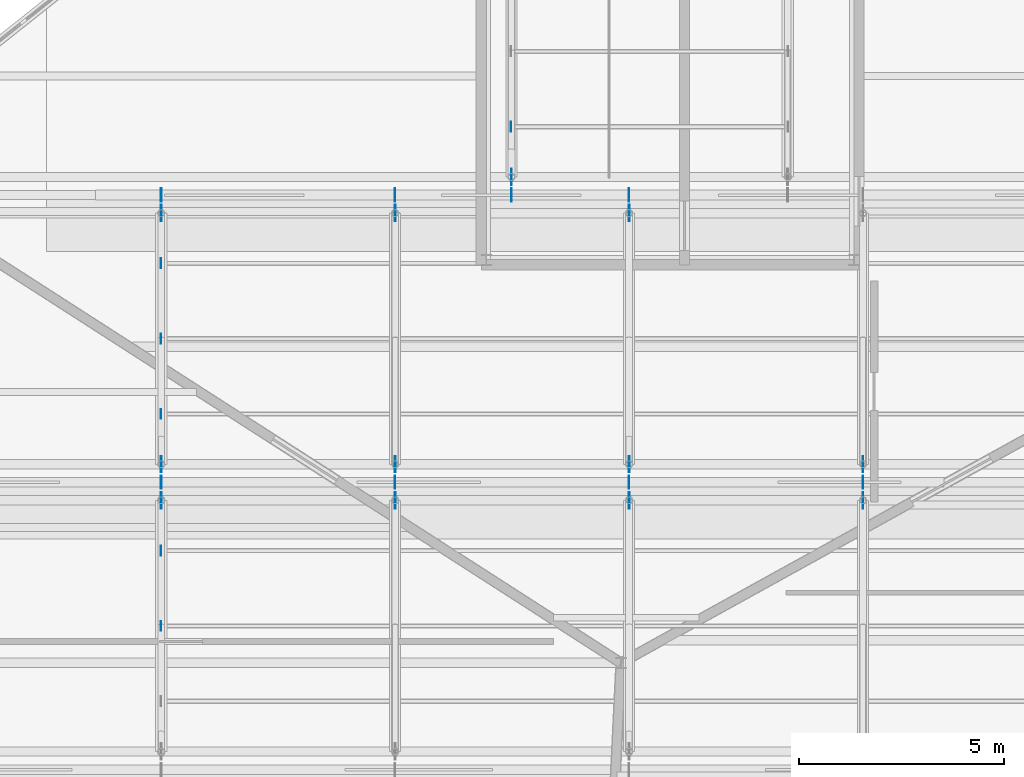
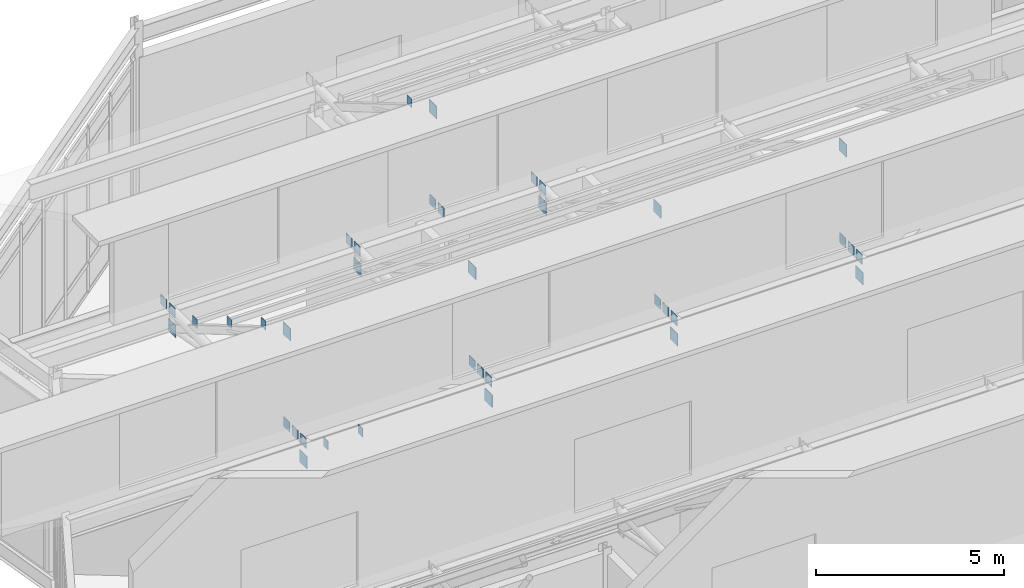
# One storey, part 49 of 55: 38 plates.
"""IFC4 building model written with IfcOpenShell, lengths in metres."""

from ifc_helpers import new_model, si_unit, direction, frame, origin, origin_2d, place, context, subcontext, project, spatial, rectangle, extrude, material, layer, layer_set, type_object, element, save


model = new_model("IFC4")

# Units and contexts
model_context = context("Model", 3, precision=1e-05, world=origin(), true_north=direction((0.0, 1.0)))
body_context = subcontext(model_context, "Body", "Model", "MODEL_VIEW")
ifc_project = project(units=[si_unit("LENGTHUNIT", "METRE"), si_unit("AREAUNIT", "SQUARE_METRE"), si_unit("VOLUMEUNIT", "CUBIC_METRE"), si_unit("PLANEANGLEUNIT", "RADIAN"), si_unit("MASSUNIT", "GRAM", prefix="KILO")], contexts=[model_context])

# Site, building, storey
site_placement = place(None, origin())
site = spatial("IfcSite", under=ifc_project, at=site_placement, CompositionType="ELEMENT")
building_placement = place(site_placement, origin())
building = spatial("IfcBuilding", under=site, at=building_placement, Name="Tameran Prism Museum", CompositionType="ELEMENT")
storey_placement = place(building_placement, frame((0.0, 0.0, 28.800048828125)))
storey = spatial("IfcBuildingStorey", under=building, at=storey_placement, Name="L05", CompositionType="ELEMENT", Elevation=28.800048828125)

# Plates
ifc_material_1 = material(Name="Steel Grade 350 (350 MPa)", Category="steel")
ifc_layer_1 = layer(ifc_material_1, 0.01611328125)
ifc_layer_set_1 = layer_set([ifc_layer_1])
plate_type_1 = type_object("IfcPlateType", Name="PL-CAP-16", PredefinedType="USERDEFINED", material=ifc_layer_set_1)
for number, where, z_axis, x_axis, name in (
    (1, (107.592041015625, 90.0, 8.43115234375), (0.0, 0.0, 1.0), (1.0, 0.0, 0.0), "Purlin End Cap Plate PR-014 W"),
    (2, (107.592041015625, 91.8359375, 6.89892578125), (0.0, 0.0, 1.0), (1.0, 0.0, 0.0), "Purlin End Cap Plate PR-015 W"),
):
    element("IfcPlate", number, at=place(storey_placement, frame(where, z_axis=z_axis, x_axis=x_axis)), inside=storey, type_object=plate_type_1, Name=name, ObjectType="GUSSET PLATE", PredefinedType="USERDEFINED", context=body_context, shape_type="SweptSolid", body=[
        extrude(rectangle(XDim=0.01611328125, YDim=0.239990234375, at=origin_2d()), origin(), (0.0, 0.0, 1.0), 0.280029296875),
    ])
for number, where, z_axis, x_axis, name in (
    (3, (107.60009765625, 93.06005859375, 6.22607421875), (0.0, 0.0, 1.0), (1.0, 0.0, 0.0), "Truss Node Gusset Plate GP-0066"),
    (4, (107.60009765625, 93.5, 6.22607421875), (0.0, 0.0, 1.0), (1.0, 0.0, 0.0), "Truss Node Gusset Plate GP-0067"),
    (5, (113.300048828125, 93.06005859375, 6.22607421875), (0.0, 0.0, 1.0), (1.0, 0.0, 0.0), "Truss Node Gusset Plate GP-0071"),
    (6, (113.300048828125, 93.5, 6.22607421875), (0.0, 0.0, 1.0), (1.0, 0.0, 0.0), "Truss Node Gusset Plate GP-0072"),
    (7, (119.0, 93.06005859375, 6.22607421875), (0.0, 0.0, 1.0), (1.0, 0.0, 0.0), "Truss Node Gusset Plate GP-0076"),
    (8, (119.0, 93.5, 6.22607421875), (0.0, 0.0, 1.0), (1.0, 0.0, 0.0), "Truss Node Gusset Plate GP-0077"),
    (9, (124.699951171875, 93.06005859375, 6.22607421875), (0.0, 0.0, 1.0), (1.0, 0.0, 0.0), "Truss Node Gusset Plate GP-0081"),
    (10, (124.699951171875, 93.5, 6.22607421875), (0.0, 0.0, 1.0), (1.0, 0.0, 0.0), "Truss Node Gusset Plate GP-0082"),
):
    element("IfcPlate", number, at=place(storey_placement, frame(where, z_axis=z_axis, x_axis=x_axis)), inside=storey, type_object=plate_type_1, Name=name, ObjectType="GUSSET PLATE", PredefinedType="USERDEFINED", context=body_context, shape_type="SweptSolid", body=[
        extrude(rectangle(XDim=0.01611328125, YDim=0.320068359375, at=origin_2d()), origin(), (0.0, 0.0, 1.0), 0.320068359375),
    ])
for number, where, z_axis, x_axis, name in (
    (11, (107.592041015625, 95.1640625, 8.77392578125), (0.0, 0.0, 1.0), (1.0, 0.0, 0.0), "Purlin End Cap Plate PR-019 W"),
    (12, (107.592041015625, 97.0, 7.72314453125), (0.0, 0.0, 1.0), (1.0, 0.0, 0.0), "Purlin End Cap Plate PR-020 W"),
    (13, (107.592041015625, 98.8359375, 6.61376953125), (0.0, 0.0, 1.0), (1.0, 0.0, 0.0), "Purlin End Cap Plate PR-021 W"),
):
    element("IfcPlate", number, at=place(storey_placement, frame(where, z_axis=z_axis, x_axis=x_axis)), inside=storey, type_object=plate_type_1, Name=name, ObjectType="GUSSET PLATE", PredefinedType="USERDEFINED", context=body_context, shape_type="SweptSolid", body=[
        extrude(rectangle(XDim=0.01611328125, YDim=0.239990234375, at=origin_2d()), origin(), (0.0, 0.0, 1.0), 0.280029296875),
    ])
for number, where, z_axis, x_axis, name in (
    (14, (107.60009765625, 93.93994140625, 6.22607421875), (0.0, 0.0, 1.0), (1.0, 0.0, 0.0), "Truss Node Gusset Plate GP-0090"),
    (15, (107.60009765625, 100.06005859375, 6.22607421875), (0.0, 0.0, 1.0), (1.0, 0.0, 0.0), "Truss Node Gusset Plate GP-0091"),
    (16, (107.60009765625, 100.5, 6.22607421875), (0.0, 0.0, 1.0), (1.0, 0.0, 0.0), "Truss Node Gusset Plate GP-0092"),
    (17, (113.300048828125, 93.93994140625, 6.22607421875), (0.0, 0.0, 1.0), (1.0, 0.0, 0.0), "Truss Node Gusset Plate GP-0095"),
    (18, (113.300048828125, 100.06005859375, 6.22607421875), (0.0, 0.0, 1.0), (1.0, 0.0, 0.0), "Truss Node Gusset Plate GP-0096"),
    (19, (113.300048828125, 100.5, 6.22607421875), (0.0, 0.0, 1.0), (1.0, 0.0, 0.0), "Truss Node Gusset Plate GP-0097"),
    (20, (119.0, 93.93994140625, 6.22607421875), (0.0, 0.0, 1.0), (1.0, 0.0, 0.0), "Truss Node Gusset Plate GP-0100"),
    (21, (119.0, 100.06005859375, 6.22607421875), (0.0, 0.0, 1.0), (1.0, 0.0, 0.0), "Truss Node Gusset Plate GP-0101"),
    (22, (119.0, 100.5, 6.22607421875), (0.0, 0.0, 1.0), (1.0, 0.0, 0.0), "Truss Node Gusset Plate GP-0102"),
    (23, (124.699951171875, 93.93994140625, 6.22607421875), (0.0, 0.0, 1.0), (1.0, 0.0, 0.0), "Truss Node Gusset Plate GP-0105"),
):
    element("IfcPlate", number, at=place(storey_placement, frame(where, z_axis=z_axis, x_axis=x_axis)), inside=storey, type_object=plate_type_1, Name=name, ObjectType="GUSSET PLATE", PredefinedType="USERDEFINED", context=body_context, shape_type="SweptSolid", body=[
        extrude(rectangle(XDim=0.01611328125, YDim=0.320068359375, at=origin_2d()), origin(), (0.0, 0.0, 1.0), 0.320068359375),
    ])
plate_placement = place(storey_placement, frame((116.125, 102.1640625, 8.77392578125), z_axis=(0.0, 0.0, 1.0), x_axis=(1.0, 0.0, 0.0)))
element("IfcPlate", 24, at=plate_placement, inside=storey, type_object=plate_type_1, Name="Purlin End Cap Plate PR-025 W", ObjectType="GUSSET PLATE", PredefinedType="USERDEFINED", context=body_context, shape_type="SweptSolid", body=[
    extrude(rectangle(XDim=0.01611328125, YDim=0.239990234375, at=origin_2d()), origin(), (0.0, 0.0, 1.0), 0.280029296875),
])
for number, where, z_axis, x_axis, name in (
    (25, (116.133056640625, 100.93994140625, 6.22607421875), (0.0, 0.0, 1.0), (1.0, 0.0, 0.0), "Truss Node Gusset Plate GP-0115"),
    (26, (116.133056640625, 100.5, 6.22607421875), (0.0, 0.0, 1.0), (1.0, 0.0, 0.0), "Truss Node Gusset Plate GP-0117"),
):
    element("IfcPlate", number, at=place(storey_placement, frame(where, z_axis=z_axis, x_axis=x_axis)), inside=storey, type_object=plate_type_1, Name=name, ObjectType="GUSSET PLATE", PredefinedType="USERDEFINED", context=body_context, shape_type="SweptSolid", body=[
        extrude(rectangle(XDim=0.01611328125, YDim=0.320068359375, at=origin_2d()), origin(), (0.0, 0.0, 1.0), 0.320068359375),
    ])
ifc_material_2 = material(Name="Steel Grade 350 (350 MPa)", Category="steel")
ifc_layer_2 = layer(ifc_material_2, 0.02001953125)
ifc_layer_set_2 = layer_set([ifc_layer_2])
plate_type_2 = type_object("IfcPlateType", Name="PL-GUS-20", PredefinedType="USERDEFINED", material=ifc_layer_set_2)
for number, where, z_axis, x_axis, name in (
    (27, (107.60009765625, 93.06005859375, 5.587890625), (0.0, 0.0, 1.0), (1.0, 0.0, 0.0), "Truss Node Gusset Plate GP-0064"),
    (28, (113.300048828125, 93.06005859375, 5.587890625), (0.0, 0.0, 1.0), (1.0, 0.0, 0.0), "Truss Node Gusset Plate GP-0069"),
    (29, (119.0, 93.06005859375, 5.587890625), (0.0, 0.0, 1.0), (1.0, 0.0, 0.0), "Truss Node Gusset Plate GP-0074"),
    (30, (124.699951171875, 93.06005859375, 5.587890625), (0.0, 0.0, 1.0), (1.0, 0.0, 0.0), "Truss Node Gusset Plate GP-0079"),
    (31, (107.60009765625, 93.93994140625, 9.208984375), (0.0, 0.0, 1.0), (1.0, 0.0, 0.0), "Truss Node Gusset Plate GP-0088"),
    (32, (107.60009765625, 100.06005859375, 5.60888671875), (0.0, 0.0, 1.0), (1.0, 0.0, 0.0), "Truss Node Gusset Plate GP-0089"),
    (33, (113.300048828125, 93.93994140625, 9.208984375), (0.0, 0.0, 1.0), (1.0, 0.0, 0.0), "Truss Node Gusset Plate GP-0093"),
    (34, (113.300048828125, 100.06005859375, 5.60888671875), (0.0, 0.0, 1.0), (1.0, 0.0, 0.0), "Truss Node Gusset Plate GP-0094"),
    (35, (119.0, 93.93994140625, 9.208984375), (0.0, 0.0, 1.0), (1.0, 0.0, 0.0), "Truss Node Gusset Plate GP-0098"),
    (36, (119.0, 100.06005859375, 5.60888671875), (0.0, 0.0, 1.0), (1.0, 0.0, 0.0), "Truss Node Gusset Plate GP-0099"),
    (37, (124.699951171875, 93.93994140625, 9.208984375), (0.0, 0.0, 1.0), (1.0, 0.0, 0.0), "Truss Node Gusset Plate GP-0103"),
    (38, (116.133056640625, 100.93994140625, 9.208984375), (0.0, 0.0, 1.0), (1.0, 0.0, 0.0), "Truss Node Gusset Plate GP-0113"),
):
    element("IfcPlate", number, at=place(storey_placement, frame(where, z_axis=z_axis, x_axis=x_axis)), inside=storey, type_object=plate_type_2, Name=name, ObjectType="GUSSET PLATE", PredefinedType="USERDEFINED", context=body_context, shape_type="SweptSolid", body=[
        extrude(rectangle(XDim=0.02001953125, YDim=0.39990234375, at=origin_2d()), origin(), (0.0, 0.0, 1.0), 0.39990234375),
    ])

save(model, "model.ifc")
